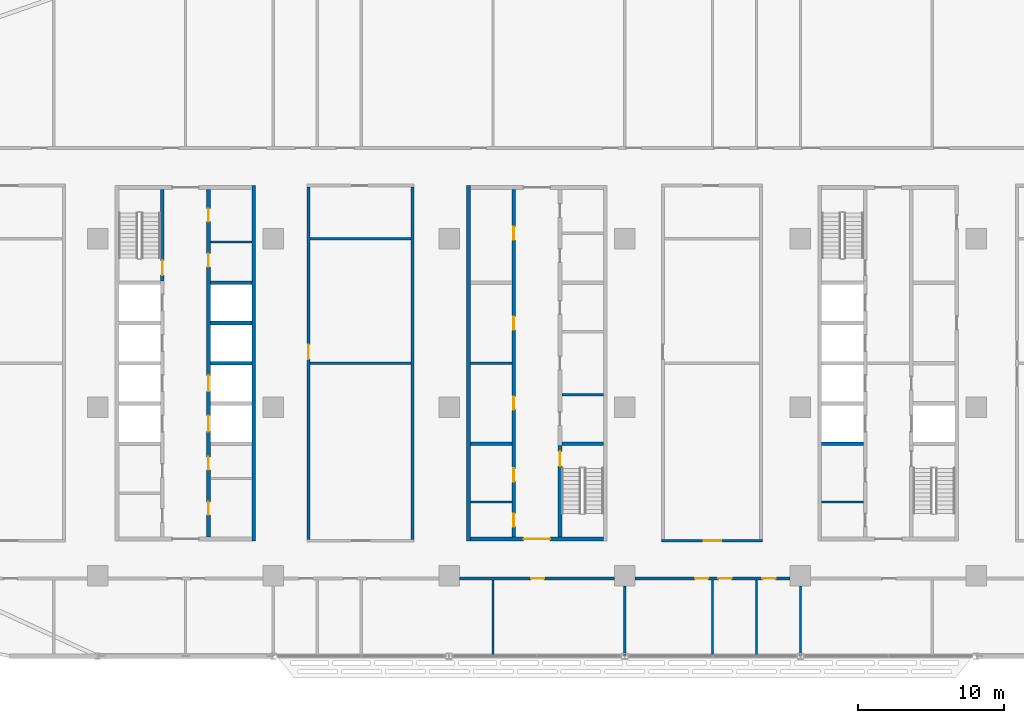
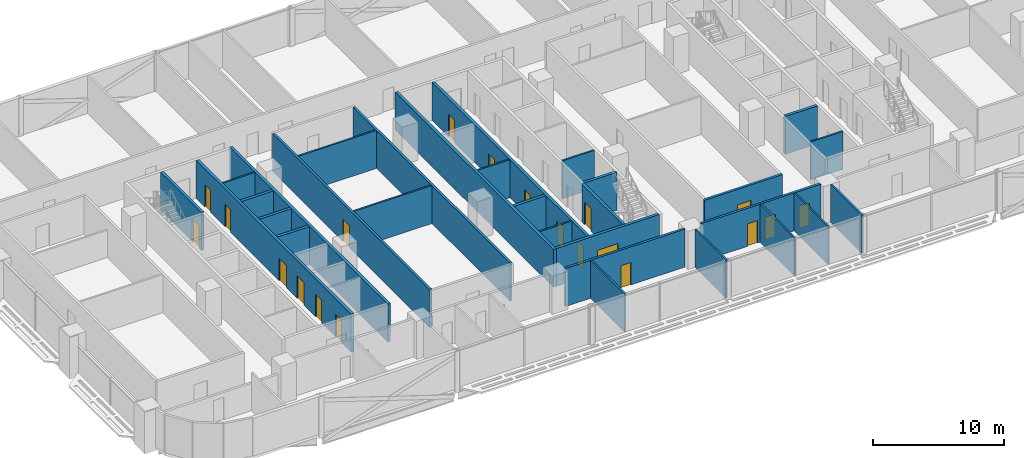
# One storey, part 13 of 29: 30 walls, 20 doors, 20 openings.
"""IFC4 building model written with IfcOpenShell, lengths in metres."""

from ifc_helpers import new_model, si_unit, direction, frame, frame_2d, origin, place, context, subcontext, project, spatial, rectangle, extrude, material, layer, layer_set, type_object, element, fill, save


model = new_model("IFC4")

# Units and contexts
model_context = context("Model", 3, precision=1e-05, world=origin(), true_north=direction((0.0, 1.0)))
body_context = subcontext(model_context, "Body", "Model", "MODEL_VIEW")
ifc_project = project(units=[si_unit("LENGTHUNIT", "METRE"), si_unit("AREAUNIT", "SQUARE_METRE"), si_unit("VOLUMEUNIT", "CUBIC_METRE"), si_unit("PLANEANGLEUNIT", "RADIAN"), si_unit("MASSUNIT", "GRAM", prefix="KILO")], contexts=[model_context])

# Site, building, storey
site_placement = place(None, origin())
site = spatial("IfcSite", under=ifc_project, at=site_placement, CompositionType="ELEMENT")
building_placement = place(site_placement, origin())
building = spatial("IfcBuilding", under=site, at=building_placement, Name="Mahtab Terrace Research Tower", CompositionType="ELEMENT")
storey_placement = place(building_placement, frame((0.0, 0.0, 113.5)))
storey = spatial("IfcBuildingStorey", under=building, at=storey_placement, Name="L26", CompositionType="ELEMENT", Elevation=113.5)

# Walls
ifc_material_1 = material(Name="Gypsum board partition")
ifc_layer_1 = layer(ifc_material_1, 0.14990234375)
ifc_layer_set_1 = layer_set([ifc_layer_1], Name="Core partition 150")
wall_type_1 = type_object("IfcWallType", Name="Core partition 150", PredefinedType="PARTITIONING", material=ifc_layer_set_1)
for number, where, z_axis, x_axis, name in (
    (1, (-22.300048828125, 11.27490234375, 0.0), (0.0, 0.0, 1.0), (1.0, 0.0, 0.0), "Core wall A pEN828"),
    (2, (-4.550048828125, 3.0, 0.0), (0.0, 0.0, 1.0), (1.0, 0.0, 0.0), "Core wall B pWL0"),
    (3, (1.699951171875, 0.85009765625, 0.0), (0.0, 0.0, 1.0), (1.0, 0.0, 0.0), "Core wall B pEL-215"),
    (4, (-4.550048828125, -6.47509765625, 0.0), (0.0, 0.0, 1.0), (1.0, 0.0, 0.0), "Core wall B pWS-948"),
    (5, (19.449951171875, -6.47509765625, 0.0), (0.0, 0.0, 1.0), (1.0, 0.0, 0.0), "Core wall C pWS-948"),
):
    element("IfcWall", number, at=place(storey_placement, frame(where, z_axis=z_axis, x_axis=x_axis)), inside=storey, type_object=wall_type_1, Name=name, PredefinedType="PARTITIONING", context=body_context, shape_type="SweptSolid", body=[
        extrude(rectangle(XDim=2.85009765625, YDim=0.14990234375, at=frame_2d((1.425048828125, 0.0))), origin(), (0.0, 0.0, 1.0), 3.550048828125),
    ])
ifc_material_2 = material(Name="Concrete C70/85", Category="concrete")
ifc_layer_2 = layer(ifc_material_2, 0.25)
ifc_layer_set_2 = layer_set([ifc_layer_2], Name="Core wall 250")
wall_type_2 = type_object("IfcWallType", Name="Core wall 250", PredefinedType="SOLIDWALL", material=ifc_layer_set_2)
wall_1_placement = place(storey_placement, frame((-19.324951171875, -9.125, 0.0), z_axis=(0.0, 0.0, 1.0), x_axis=(0.0, 1.0, 0.0)))
element("IfcWall", 6, at=wall_1_placement, inside=storey, type_object=wall_type_2, Name="Core wall A outerE", PredefinedType="SOLIDWALL", context=body_context, shape_type="SweptSolid", body=[
    extrude(rectangle(XDim=24.25, YDim=0.25, at=frame_2d((12.125, 0.0))), origin(), (0.0, 0.0, 1.0), 3.550048828125),
])

# Wall, opening, door
wall_2_placement = place(storey_placement, frame((-25.574951171875, 14.875, 0.0), z_axis=(0.0, 0.0, 1.0), x_axis=(0.0, -1.0, 0.0)))
wall_2 = element("IfcWall", 7, at=wall_2_placement, inside=storey, type_object=wall_type_2, Name="Core wall A innerWN", PredefinedType="SOLIDWALL", context=body_context, shape_type="SweptSolid", body=[
    extrude(rectangle(XDim=6.25, YDim=0.25, at=frame_2d((3.125, 0.0))), origin(), (0.0, 0.0, 1.0), 3.550048828125),
])
opening_1_placement = place(wall_2_placement, frame((4.85009765625, 0.0, 0.0)))
opening_1 = element("IfcOpeningElement", 8, at=opening_1_placement, cuts=wall_2, Name="Opening A-ST1", PredefinedType="OPENING", context=body_context, shape_type="SweptSolid", body=[
    extrude(rectangle(XDim=1.0, YDim=2.10009765625, at=frame_2d((0.5, 1.050048828125))), frame((0.0, 0.135009765625, 0.0), z_axis=(0.0, -1.0, 0.0), x_axis=(1.0, 0.0, 0.0)), (0.0, 0.0, 1.0), 0.27001953125),
])
ifc_material_3 = material(Name="Steel fire door", Category="steel")
door_type_1 = type_object("IfcDoorType", Name="Stair door 1000x2100 1.5 HR", OperationType="NOTDEFINED", PredefinedType="DOOR", material=ifc_material_3)
door_1_placement = place(opening_1_placement, origin())
door_1 = element("IfcDoor", 9, at=door_1_placement, inside=storey, type_object=door_type_1, Name="Stair door ST1 L26", OperationType="SINGLE_SWING_LEFT", OverallHeight=2.10009765625, OverallWidth=1.0, PredefinedType="DOOR", context=body_context, shape_type="SweptSolid", body=[
    extrude(rectangle(XDim=1.0, YDim=2.10009765625, at=frame_2d((0.5, 1.050048828125))), frame((0.0, 0.02490234375, 0.0), z_axis=(0.0, -1.0, 0.0), x_axis=(1.0, 0.0, 0.0)), (0.0, 0.0, 1.0), 0.050048828125),
])
fill(opening_1, door_1)

# Wall, openings, doors
wall_3_placement = place(storey_placement, frame((-22.425048828125, 14.875, 0.0), z_axis=(0.0, 0.0, 1.0), x_axis=(0.0, -1.0, 0.0)))
wall_3 = element("IfcWall", 10, at=wall_3_placement, inside=storey, type_object=wall_type_2, Name="Core wall A innerESLN", PredefinedType="SOLIDWALL", context=body_context, shape_type="SweptSolid", body=[
    extrude(rectangle(XDim=23.75, YDim=0.25, at=frame_2d((11.875, 0.0))), origin(), (0.0, 0.0, 1.0), 3.550048828125),
])
opening_2_placement = place(wall_3_placement, frame((15.449951171875, 0.0, 0.0)))
opening_2 = element("IfcOpeningElement", 11, at=opening_2_placement, cuts=wall_3, Name="Opening LD05-L26", PredefinedType="OPENING", context=body_context, shape_type="SweptSolid", body=[
    extrude(rectangle(XDim=1.10009765625, YDim=2.10009765625, at=frame_2d((0.550048828125, 1.050048828125))), frame((0.0, 0.135009765625, 0.0), z_axis=(0.0, -1.0, 0.0), x_axis=(1.0, 0.0, 0.0)), (0.0, 0.0, 1.0), 0.27001953125),
])
opening_3_placement = place(wall_3_placement, frame((12.699951171875, 0.0, 0.0)))
opening_3 = element("IfcOpeningElement", 12, at=opening_3_placement, cuts=wall_3, Name="Opening LD06-L26", PredefinedType="OPENING", context=body_context, shape_type="SweptSolid", body=[
    extrude(rectangle(XDim=1.10009765625, YDim=2.10009765625, at=frame_2d((0.550048828125, 1.050048828125))), frame((0.0, 0.135009765625, 0.0), z_axis=(0.0, -1.0, 0.0), x_axis=(1.0, 0.0, 0.0)), (0.0, 0.0, 1.0), 0.27001953125),
])
opening_4_placement = place(wall_3_placement, frame((21.33740234375, 0.0, 0.0)))
opening_4 = element("IfcOpeningElement", 13, at=opening_4_placement, cuts=wall_3, Name="Opening A-R3", PredefinedType="OPENING", context=body_context, shape_type="SweptSolid", body=[
    extrude(rectangle(XDim=0.89990234375, YDim=2.10009765625, at=frame_2d((0.449951171875, 1.050048828125))), frame((0.0, 0.135009765625, 0.0), z_axis=(0.0, -1.0, 0.0), x_axis=(1.0, 0.0, 0.0)), (0.0, 0.0, 1.0), 0.27001953125),
])
opening_5_placement = place(wall_3_placement, frame((18.262451171875, 0.0, 0.0)))
opening_5 = element("IfcOpeningElement", 14, at=opening_5_placement, cuts=wall_3, Name="Opening A-R4", PredefinedType="OPENING", context=body_context, shape_type="SweptSolid", body=[
    extrude(rectangle(XDim=0.89990234375, YDim=2.10009765625, at=frame_2d((0.449951171875, 1.050048828125))), frame((0.0, 0.135009765625, 0.0), z_axis=(0.0, -1.0, 0.0), x_axis=(1.0, 0.0, 0.0)), (0.0, 0.0, 1.0), 0.27001953125),
])
opening_6_placement = place(wall_3_placement, frame((4.387451171875, 0.0, 0.0)))
opening_6 = element("IfcOpeningElement", 15, at=opening_6_placement, cuts=wall_3, Name="Opening A-R5", PredefinedType="OPENING", context=body_context, shape_type="SweptSolid", body=[
    extrude(rectangle(XDim=0.89990234375, YDim=2.10009765625, at=frame_2d((0.449951171875, 1.050048828125))), frame((0.0, 0.135009765625, 0.0), z_axis=(0.0, -1.0, 0.0), x_axis=(1.0, 0.0, 0.0)), (0.0, 0.0, 1.0), 0.27001953125),
])
opening_7_placement = place(wall_3_placement, frame((1.3125, 0.0, 0.0)))
opening_7 = element("IfcOpeningElement", 16, at=opening_7_placement, cuts=wall_3, Name="Opening A-R6", PredefinedType="OPENING", context=body_context, shape_type="SweptSolid", body=[
    extrude(rectangle(XDim=0.89990234375, YDim=2.10009765625, at=frame_2d((0.449951171875, 1.050048828125))), frame((0.0, 0.135009765625, 0.0), z_axis=(0.0, -1.0, 0.0), x_axis=(1.0, 0.0, 0.0)), (0.0, 0.0, 1.0), 0.27001953125),
])
ifc_material_4 = material(Name="Stainless steel AISI 304", Category="steel")
door_type_2 = type_object("IfcDoorType", Name="Landing door 1100x2100", OperationType="DOUBLE_DOOR_SLIDING", PredefinedType="DOOR", material=ifc_material_4)
door_2_placement = place(opening_2_placement, origin())
door_2 = element("IfcDoor", 17, at=door_2_placement, inside=storey, type_object=door_type_2, Name="Landing door LR5 L26", OperationType="DOUBLE_DOOR_SLIDING", OverallHeight=2.10009765625, OverallWidth=1.10009765625, PredefinedType="DOOR", context=body_context, shape_type="SweptSolid", body=[
    extrude(rectangle(XDim=1.10009765625, YDim=2.10009765625, at=frame_2d((0.550048828125, 1.050048828125))), frame((0.0, 0.02490234375, 0.0), z_axis=(0.0, -1.0, 0.0), x_axis=(1.0, 0.0, 0.0)), (0.0, 0.0, 1.0), 0.050048828125),
])
fill(opening_2, door_2)
door_3_placement = place(opening_3_placement, origin())
door_3 = element("IfcDoor", 18, at=door_3_placement, inside=storey, type_object=door_type_2, Name="Landing door LR6 L26", OperationType="DOUBLE_DOOR_SLIDING", OverallHeight=2.10009765625, OverallWidth=1.10009765625, PredefinedType="DOOR", context=body_context, shape_type="SweptSolid", body=[
    extrude(rectangle(XDim=1.10009765625, YDim=2.10009765625, at=frame_2d((0.550048828125, 1.050048828125))), frame((0.0, 0.02490234375, 0.0), z_axis=(0.0, -1.0, 0.0), x_axis=(1.0, 0.0, 0.0)), (0.0, 0.0, 1.0), 0.050048828125),
])
fill(opening_3, door_3)
door_type_3 = type_object("IfcDoorType", Name="Room door 900x2100 1 HR", OperationType="NOTDEFINED", PredefinedType="DOOR", material=ifc_material_3)
door_4_placement = place(opening_4_placement, origin())
door_4 = element("IfcDoor", 19, at=door_4_placement, inside=storey, type_object=door_type_3, Name="IT equipment room door", OperationType="SINGLE_SWING_LEFT", OverallHeight=2.10009765625, OverallWidth=0.89990234375, PredefinedType="DOOR", context=body_context, shape_type="SweptSolid", body=[
    extrude(rectangle(XDim=0.89990234375, YDim=2.10009765625, at=frame_2d((0.449951171875, 1.050048828125))), frame((0.0, 0.02490234375, 0.0), z_axis=(0.0, -1.0, 0.0), x_axis=(1.0, 0.0, 0.0)), (0.0, 0.0, 1.0), 0.050048828125),
])
fill(opening_4, door_4)
door_5_placement = place(opening_5_placement, origin())
door_5 = element("IfcDoor", 20, at=door_5_placement, inside=storey, type_object=door_type_3, Name="Electrical riser room door", OperationType="SINGLE_SWING_RIGHT", OverallHeight=2.10009765625, OverallWidth=0.89990234375, PredefinedType="DOOR", context=body_context, shape_type="SweptSolid", body=[
    extrude(rectangle(XDim=0.89990234375, YDim=2.10009765625, at=frame_2d((0.449951171875, 1.050048828125))), frame((0.0, 0.02490234375, 0.0), z_axis=(0.0, -1.0, 0.0), x_axis=(1.0, 0.0, 0.0)), (0.0, 0.0, 1.0), 0.050048828125),
])
fill(opening_5, door_5)
door_6_placement = place(opening_6_placement, origin())
door_6 = element("IfcDoor", 21, at=door_6_placement, inside=storey, type_object=door_type_3, Name="Mechanical riser room door", OperationType="SINGLE_SWING_LEFT", OverallHeight=2.10009765625, OverallWidth=0.89990234375, PredefinedType="DOOR", context=body_context, shape_type="SweptSolid", body=[
    extrude(rectangle(XDim=0.89990234375, YDim=2.10009765625, at=frame_2d((0.449951171875, 1.050048828125))), frame((0.0, 0.02490234375, 0.0), z_axis=(0.0, -1.0, 0.0), x_axis=(1.0, 0.0, 0.0)), (0.0, 0.0, 1.0), 0.050048828125),
])
fill(opening_6, door_6)
door_7_placement = place(opening_7_placement, origin())
door_7 = element("IfcDoor", 22, at=door_7_placement, inside=storey, type_object=door_type_3, Name="Chemical store door", OperationType="SINGLE_SWING_RIGHT", OverallHeight=2.10009765625, OverallWidth=0.89990234375, PredefinedType="DOOR", context=body_context, shape_type="SweptSolid", body=[
    extrude(rectangle(XDim=0.89990234375, YDim=2.10009765625, at=frame_2d((0.449951171875, 1.050048828125))), frame((0.0, 0.02490234375, 0.0), z_axis=(0.0, -1.0, 0.0), x_axis=(1.0, 0.0, 0.0)), (0.0, 0.0, 1.0), 0.050048828125),
])
fill(opening_7, door_7)

# Walls
for number, where, z_axis, x_axis, name in (
    (23, (-22.300048828125, 3.0, 0.0), (0.0, 0.0, 1.0), (1.0, 0.0, 0.0), "Core wall A divE2"),
    (24, (-22.300048828125, 5.75, 0.0), (0.0, 0.0, 1.0), (1.0, 0.0, 0.0), "Core wall A divE3"),
    (25, (-22.300048828125, 8.5, 0.0), (0.0, 0.0, 1.0), (1.0, 0.0, 0.0), "Core wall A divE4"),
):
    element("IfcWall", number, at=place(storey_placement, frame(where, z_axis=z_axis, x_axis=x_axis)), inside=storey, type_object=wall_type_2, Name=name, PredefinedType="SOLIDWALL", context=body_context, shape_type="SweptSolid", body=[
        extrude(rectangle(XDim=2.85009765625, YDim=0.25, at=frame_2d((1.425048828125, 0.0))), origin(), (0.0, 0.0, 1.0), 3.550048828125),
    ])
wall_4_placement = place(storey_placement, frame((-4.675048828125, 15.125, 0.0), z_axis=(0.0, 0.0, 1.0), x_axis=(0.0, -1.0, 0.0)))
element("IfcWall", 26, at=wall_4_placement, inside=storey, type_object=wall_type_2, Name="Core wall B outerW", PredefinedType="SOLIDWALL", context=body_context, shape_type="SweptSolid", body=[
    extrude(rectangle(XDim=24.25, YDim=0.25, at=frame_2d((12.125, 0.0))), origin(), (0.0, 0.0, 1.0), 3.550048828125),
])

# Wall, opening, door
wall_5_placement = place(storey_placement, frame((4.550048828125, -9.0, 0.0), z_axis=(0.0, 0.0, 1.0), x_axis=(-1.0, 0.0, 0.0)))
wall_5 = element("IfcWall", 27, at=wall_5_placement, inside=storey, type_object=wall_type_2, Name="Core wall B endS", PredefinedType="SOLIDWALL", context=body_context, shape_type="SweptSolid", body=[
    extrude(rectangle(XDim=9.10009765625, YDim=0.25, at=frame_2d((4.550048828125, 0.0))), origin(), (0.0, 0.0, 1.0), 3.550048828125),
])
opening_8_placement = place(wall_5_placement, frame((3.64990234375, 0.0, 0.0)))
opening_8 = element("IfcOpeningElement", 28, at=opening_8_placement, cuts=wall_5, Name="Opening B-S1", PredefinedType="OPENING", context=body_context, shape_type="SweptSolid", body=[
    extrude(rectangle(XDim=1.800048828125, YDim=2.10009765625, at=frame_2d((0.89990234375, 1.050048828125))), frame((0.0, 0.135009765625, 0.0), z_axis=(0.0, -1.0, 0.0), x_axis=(1.0, 0.0, 0.0)), (0.0, 0.0, 1.0), 0.27001953125),
])
door_type_4 = type_object("IfcDoorType", Name="Lobby double door 1800x2100 1 HR", OperationType="DOUBLE_DOOR_SINGLE_SWING", PredefinedType="DOOR", material=ifc_material_3)
door_8_placement = place(opening_8_placement, origin())
door_8 = element("IfcDoor", 29, at=door_8_placement, inside=storey, type_object=door_type_4, Name="Core entrance door B S", OperationType="DOUBLE_DOOR_SINGLE_SWING", OverallHeight=2.10009765625, OverallWidth=1.800048828125, PredefinedType="DOOR", context=body_context, shape_type="SweptSolid", body=[
    extrude(rectangle(XDim=1.800048828125, YDim=2.10009765625, at=frame_2d((0.89990234375, 1.050048828125))), frame((0.0, 0.02490234375, 0.0), z_axis=(0.0, -1.0, 0.0), x_axis=(1.0, 0.0, 0.0)), (0.0, 0.0, 1.0), 0.050048828125),
])
fill(opening_8, door_8)

# Wall, openings, doors
wall_6_placement = place(storey_placement, frame((-1.574951171875, -8.875, 0.0), z_axis=(0.0, 0.0, 1.0), x_axis=(0.0, 1.0, 0.0)))
wall_6 = element("IfcWall", 30, at=wall_6_placement, inside=storey, type_object=wall_type_2, Name="Core wall B innerWSLN", PredefinedType="SOLIDWALL", context=body_context, shape_type="SweptSolid", body=[
    extrude(rectangle(XDim=23.75, YDim=0.25, at=frame_2d((11.875, 0.0))), origin(), (0.0, 0.0, 1.0), 3.550048828125),
])
opening_9_placement = place(wall_6_placement, frame((8.699951171875, 0.0, 0.0)))
opening_9 = element("IfcOpeningElement", 31, at=opening_9_placement, cuts=wall_6, Name="Opening B-R1", PredefinedType="OPENING", context=body_context, shape_type="SweptSolid", body=[
    extrude(rectangle(XDim=0.89990234375, YDim=2.10009765625, at=frame_2d((0.449951171875, 1.050048828125))), frame((0.0, 0.135009765625, 0.0), z_axis=(0.0, -1.0, 0.0), x_axis=(1.0, 0.0, 0.0)), (0.0, 0.0, 1.0), 0.27001953125),
])
opening_10_placement = place(wall_6_placement, frame((14.14990234375, 0.0, 0.0)))
opening_10 = element("IfcOpeningElement", 32, at=opening_10_placement, cuts=wall_6, Name="Opening B-R2", PredefinedType="OPENING", context=body_context, shape_type="SweptSolid", body=[
    extrude(rectangle(XDim=0.89990234375, YDim=2.10009765625, at=frame_2d((0.449951171875, 1.050048828125))), frame((0.0, 0.135009765625, 0.0), z_axis=(0.0, -1.0, 0.0), x_axis=(1.0, 0.0, 0.0)), (0.0, 0.0, 1.0), 0.27001953125),
])
opening_11_placement = place(wall_6_placement, frame((0.71240234375, 0.0, 0.0)))
opening_11 = element("IfcOpeningElement", 33, at=opening_11_placement, cuts=wall_6, Name="Opening B-R6", PredefinedType="OPENING", context=body_context, shape_type="SweptSolid", body=[
    extrude(rectangle(XDim=0.89990234375, YDim=2.10009765625, at=frame_2d((0.449951171875, 1.050048828125))), frame((0.0, 0.135009765625, 0.0), z_axis=(0.0, -1.0, 0.0), x_axis=(1.0, 0.0, 0.0)), (0.0, 0.0, 1.0), 0.27001953125),
])
opening_12_placement = place(wall_6_placement, frame((3.78759765625, 0.0, 0.0)))
opening_12 = element("IfcOpeningElement", 34, at=opening_12_placement, cuts=wall_6, Name="Opening B-R7", PredefinedType="OPENING", context=body_context, shape_type="SweptSolid", body=[
    extrude(rectangle(XDim=0.89990234375, YDim=2.10009765625, at=frame_2d((0.449951171875, 1.050048828125))), frame((0.0, 0.135009765625, 0.0), z_axis=(0.0, -1.0, 0.0), x_axis=(1.0, 0.0, 0.0)), (0.0, 0.0, 1.0), 0.27001953125),
])
opening_13_placement = place(wall_6_placement, frame((20.300048828125, 0.0, 0.0)))
opening_13 = element("IfcOpeningElement", 35, at=opening_13_placement, cuts=wall_6, Name="Opening B-R8", PredefinedType="OPENING", context=body_context, shape_type="SweptSolid", body=[
    extrude(rectangle(XDim=0.89990234375, YDim=2.10009765625, at=frame_2d((0.449951171875, 1.050048828125))), frame((0.0, 0.135009765625, 0.0), z_axis=(0.0, -1.0, 0.0), x_axis=(1.0, 0.0, 0.0)), (0.0, 0.0, 1.0), 0.27001953125),
])
door_9_placement = place(opening_9_placement, origin())
door_9 = element("IfcDoor", 36, at=door_9_placement, inside=storey, type_object=door_type_3, Name="Document store door", OperationType="SINGLE_SWING_LEFT", OverallHeight=2.10009765625, OverallWidth=0.89990234375, PredefinedType="DOOR", context=body_context, shape_type="SweptSolid", body=[
    extrude(rectangle(XDim=0.89990234375, YDim=2.10009765625, at=frame_2d((0.449951171875, 1.050048828125))), frame((0.0, 0.02490234375, 0.0), z_axis=(0.0, -1.0, 0.0), x_axis=(1.0, 0.0, 0.0)), (0.0, 0.0, 1.0), 0.050048828125),
])
fill(opening_9, door_9)
door_10_placement = place(opening_10_placement, origin())
door_10 = element("IfcDoor", 37, at=door_10_placement, inside=storey, type_object=door_type_3, Name="IT equipment room door", OperationType="SINGLE_SWING_RIGHT", OverallHeight=2.10009765625, OverallWidth=0.89990234375, PredefinedType="DOOR", context=body_context, shape_type="SweptSolid", body=[
    extrude(rectangle(XDim=0.89990234375, YDim=2.10009765625, at=frame_2d((0.449951171875, 1.050048828125))), frame((0.0, 0.02490234375, 0.0), z_axis=(0.0, -1.0, 0.0), x_axis=(1.0, 0.0, 0.0)), (0.0, 0.0, 1.0), 0.050048828125),
])
fill(opening_10, door_10)
door_11_placement = place(opening_11_placement, origin())
door_11 = element("IfcDoor", 38, at=door_11_placement, inside=storey, type_object=door_type_3, Name="Mechanical riser room door", OperationType="SINGLE_SWING_RIGHT", OverallHeight=2.10009765625, OverallWidth=0.89990234375, PredefinedType="DOOR", context=body_context, shape_type="SweptSolid", body=[
    extrude(rectangle(XDim=0.89990234375, YDim=2.10009765625, at=frame_2d((0.449951171875, 1.050048828125))), frame((0.0, 0.02490234375, 0.0), z_axis=(0.0, -1.0, 0.0), x_axis=(1.0, 0.0, 0.0)), (0.0, 0.0, 1.0), 0.050048828125),
])
fill(opening_11, door_11)
door_12_placement = place(opening_12_placement, origin())
door_12 = element("IfcDoor", 39, at=door_12_placement, inside=storey, type_object=door_type_3, Name="Chemical store door", OperationType="SINGLE_SWING_LEFT", OverallHeight=2.10009765625, OverallWidth=0.89990234375, PredefinedType="DOOR", context=body_context, shape_type="SweptSolid", body=[
    extrude(rectangle(XDim=0.89990234375, YDim=2.10009765625, at=frame_2d((0.449951171875, 1.050048828125))), frame((0.0, 0.02490234375, 0.0), z_axis=(0.0, -1.0, 0.0), x_axis=(1.0, 0.0, 0.0)), (0.0, 0.0, 1.0), 0.050048828125),
])
fill(opening_12, door_12)
door_13_placement = place(opening_13_placement, origin())
door_13 = element("IfcDoor", 40, at=door_13_placement, inside=storey, type_object=door_type_3, Name="Gas cylinder store door", OperationType="SINGLE_SWING_RIGHT", OverallHeight=2.10009765625, OverallWidth=0.89990234375, PredefinedType="DOOR", context=body_context, shape_type="SweptSolid", body=[
    extrude(rectangle(XDim=0.89990234375, YDim=2.10009765625, at=frame_2d((0.449951171875, 1.050048828125))), frame((0.0, 0.02490234375, 0.0), z_axis=(0.0, -1.0, 0.0), x_axis=(1.0, 0.0, 0.0)), (0.0, 0.0, 1.0), 0.050048828125),
])
fill(opening_13, door_13)

# Wall, opening, door
wall_7_placement = place(storey_placement, frame((1.574951171875, -8.875, 0.0), z_axis=(0.0, 0.0, 1.0), x_axis=(0.0, 1.0, 0.0)))
wall_7 = element("IfcWall", 41, at=wall_7_placement, inside=storey, type_object=wall_type_2, Name="Core wall B innerES", PredefinedType="SOLIDWALL", context=body_context, shape_type="SweptSolid", body=[
    extrude(rectangle(XDim=6.25, YDim=0.25, at=frame_2d((3.125, 0.0))), origin(), (0.0, 0.0, 1.0), 3.550048828125),
])
opening_14_placement = place(wall_7_placement, frame((4.85009765625, 0.0, 0.0)))
opening_14 = element("IfcOpeningElement", 42, at=opening_14_placement, cuts=wall_7, Name="Opening B-ST2", PredefinedType="OPENING", context=body_context, shape_type="SweptSolid", body=[
    extrude(rectangle(XDim=1.0, YDim=2.10009765625, at=frame_2d((0.5, 1.050048828125))), frame((0.0, 0.135009765625, 0.0), z_axis=(0.0, -1.0, 0.0), x_axis=(1.0, 0.0, 0.0)), (0.0, 0.0, 1.0), 0.27001953125),
])
door_14_placement = place(opening_14_placement, origin())
door_14 = element("IfcDoor", 43, at=door_14_placement, inside=storey, type_object=door_type_1, Name="Stair door ST2 L26", OperationType="SINGLE_SWING_LEFT", OverallHeight=2.10009765625, OverallWidth=1.0, PredefinedType="DOOR", context=body_context, shape_type="SweptSolid", body=[
    extrude(rectangle(XDim=1.0, YDim=2.10009765625, at=frame_2d((0.5, 1.050048828125))), frame((0.0, 0.02490234375, 0.0), z_axis=(0.0, -1.0, 0.0), x_axis=(1.0, 0.0, 0.0)), (0.0, 0.0, 1.0), 0.050048828125),
])
fill(opening_14, door_14)

# Walls
for number, where, z_axis, x_axis, name in (
    (44, (-4.550048828125, -2.5, 0.0), (0.0, 0.0, 1.0), (1.0, 0.0, 0.0), "Core wall B divW0"),
    (45, (1.699951171875, -2.5, 0.0), (0.0, 0.0, 1.0), (1.0, 0.0, 0.0), "Core wall B divE0"),
    (46, (19.449951171875, -2.5, 0.0), (0.0, 0.0, 1.0), (1.0, 0.0, 0.0), "Core wall C divW0"),
):
    element("IfcWall", number, at=place(storey_placement, frame(where, z_axis=z_axis, x_axis=x_axis)), inside=storey, type_object=wall_type_2, Name=name, PredefinedType="SOLIDWALL", context=body_context, shape_type="SweptSolid", body=[
        extrude(rectangle(XDim=2.85009765625, YDim=0.25, at=frame_2d((1.425048828125, 0.0))), origin(), (0.0, 0.0, 1.0), 3.550048828125),
    ])

# Wall, opening, door
ifc_material_5 = material(Name="Gypsum board corridor wall on steel studs", Category="steel")
ifc_layer_3 = layer(ifc_material_5, 0.199951171875)
ifc_layer_set_3 = layer_set([ifc_layer_3], Name="WALL CORRIDOR 200")
wall_type_3 = type_object("IfcWallType", Name="WALL CORRIDOR 200", PredefinedType="PARTITIONING", material=ifc_layer_set_3)
wall_8_placement = place(storey_placement, frame((-5.300048828125, -11.699951171875, 0.0), z_axis=(0.0, 0.0, 1.0), x_axis=(1.0, 0.0, 0.0)))
wall_8 = element("IfcWall", 47, at=wall_8_placement, inside=storey, type_object=wall_type_3, Name="L26-W004", PredefinedType="PARTITIONING", context=body_context, shape_type="SweptSolid", body=[
    extrude(rectangle(XDim=10.60009765625, YDim=0.199951171875, at=frame_2d((5.300048828125, 0.0))), origin(), (0.0, 0.0, 1.0), 3.550048828125),
])
opening_15_placement = place(wall_8_placement, frame((4.89990234375, 0.0, 0.0)))
opening_15 = element("IfcOpeningElement", 48, at=opening_15_placement, cuts=wall_8, Name="Opening L26-107", PredefinedType="OPENING", context=body_context, shape_type="SweptSolid", body=[
    extrude(rectangle(XDim=0.89990234375, YDim=2.10009765625, at=frame_2d((0.449951171875, 1.050048828125))), frame((0.0, 0.10986328125, 0.0), z_axis=(0.0, -1.0, 0.0), x_axis=(1.0, 0.0, 0.0)), (0.0, 0.0, 1.0), 0.219970703125),
])
ifc_material_6 = material(Name="Timber door leaf in steel frame", Category="steel")
door_type_5 = type_object("IfcDoorType", Name="DOOR 0900X2100 FD30S", OperationType="SINGLE_SWING_LEFT", PredefinedType="DOOR", material=ifc_material_6)
door_15_placement = place(opening_15_placement, origin())
door_15 = element("IfcDoor", 49, at=door_15_placement, inside=storey, type_object=door_type_5, Name="Door L26-107", OperationType="SINGLE_SWING_LEFT", OverallHeight=2.10009765625, OverallWidth=0.89990234375, PredefinedType="DOOR", context=body_context, shape_type="SweptSolid", body=[
    extrude(rectangle(XDim=0.89990234375, YDim=2.10009765625, at=frame_2d((0.449951171875, 1.050048828125))), frame((0.0, 0.02490234375, 0.0), z_axis=(0.0, -1.0, 0.0), x_axis=(1.0, 0.0, 0.0)), (0.0, 0.0, 1.0), 0.050048828125),
])
fill(opening_15, door_15)

# Wall, openings, doors
wall_9_placement = place(storey_placement, frame((6.699951171875, -11.699951171875, 0.0), z_axis=(0.0, 0.0, 1.0), x_axis=(1.0, 0.0, 0.0)))
wall_9 = element("IfcWall", 50, at=wall_9_placement, inside=storey, type_object=wall_type_3, Name="L26-W005", PredefinedType="PARTITIONING", context=body_context, shape_type="SweptSolid", body=[
    extrude(rectangle(XDim=10.60009765625, YDim=0.199951171875, at=frame_2d((5.300048828125, 0.0))), origin(), (0.0, 0.0, 1.0), 3.550048828125),
])
opening_16_placement = place(wall_9_placement, frame((4.10009765625, 0.0, 0.0)))
opening_16 = element("IfcOpeningElement", 51, at=opening_16_placement, cuts=wall_9, Name="Opening L26-108", PredefinedType="OPENING", context=body_context, shape_type="SweptSolid", body=[
    extrude(rectangle(XDim=0.89990234375, YDim=2.10009765625, at=frame_2d((0.449951171875, 1.050048828125))), frame((0.0, 0.10986328125, 0.0), z_axis=(0.0, -1.0, 0.0), x_axis=(1.0, 0.0, 0.0)), (0.0, 0.0, 1.0), 0.219970703125),
])
opening_17_placement = place(wall_9_placement, frame((5.699951171875, 0.0, 0.0)))
opening_17 = element("IfcOpeningElement", 52, at=opening_17_placement, cuts=wall_9, Name="Opening L26-109", PredefinedType="OPENING", context=body_context, shape_type="SweptSolid", body=[
    extrude(rectangle(XDim=0.89990234375, YDim=2.10009765625, at=frame_2d((0.449951171875, 1.050048828125))), frame((0.0, 0.10986328125, 0.0), z_axis=(0.0, -1.0, 0.0), x_axis=(1.0, 0.0, 0.0)), (0.0, 0.0, 1.0), 0.219970703125),
])
opening_18_placement = place(wall_9_placement, frame((8.699951171875, 0.0, 0.0)))
opening_18 = element("IfcOpeningElement", 53, at=opening_18_placement, cuts=wall_9, Name="Opening L26-110", PredefinedType="OPENING", context=body_context, shape_type="SweptSolid", body=[
    extrude(rectangle(XDim=0.89990234375, YDim=2.10009765625, at=frame_2d((0.449951171875, 1.050048828125))), frame((0.0, 0.10986328125, 0.0), z_axis=(0.0, -1.0, 0.0), x_axis=(1.0, 0.0, 0.0)), (0.0, 0.0, 1.0), 0.219970703125),
])
door_16_placement = place(opening_16_placement, origin())
door_16 = element("IfcDoor", 54, at=door_16_placement, inside=storey, type_object=door_type_5, Name="Door L26-108", OperationType="SINGLE_SWING_RIGHT", OverallHeight=2.10009765625, OverallWidth=0.89990234375, PredefinedType="DOOR", context=body_context, shape_type="SweptSolid", body=[
    extrude(rectangle(XDim=0.89990234375, YDim=2.10009765625, at=frame_2d((0.449951171875, 1.050048828125))), frame((0.0, 0.02490234375, 0.0), z_axis=(0.0, -1.0, 0.0), x_axis=(1.0, 0.0, 0.0)), (0.0, 0.0, 1.0), 0.050048828125),
])
fill(opening_16, door_16)
door_17_placement = place(opening_17_placement, origin())
door_17 = element("IfcDoor", 55, at=door_17_placement, inside=storey, type_object=door_type_5, Name="Door L26-109", OperationType="SINGLE_SWING_LEFT", OverallHeight=2.10009765625, OverallWidth=0.89990234375, PredefinedType="DOOR", context=body_context, shape_type="SweptSolid", body=[
    extrude(rectangle(XDim=0.89990234375, YDim=2.10009765625, at=frame_2d((0.449951171875, 1.050048828125))), frame((0.0, 0.02490234375, 0.0), z_axis=(0.0, -1.0, 0.0), x_axis=(1.0, 0.0, 0.0)), (0.0, 0.0, 1.0), 0.050048828125),
])
fill(opening_17, door_17)
door_18_placement = place(opening_18_placement, origin())
door_18 = element("IfcDoor", 56, at=door_18_placement, inside=storey, type_object=door_type_5, Name="Door L26-110", OperationType="SINGLE_SWING_LEFT", OverallHeight=2.10009765625, OverallWidth=0.89990234375, PredefinedType="DOOR", context=body_context, shape_type="SweptSolid", body=[
    extrude(rectangle(XDim=0.89990234375, YDim=2.10009765625, at=frame_2d((0.449951171875, 1.050048828125))), frame((0.0, 0.02490234375, 0.0), z_axis=(0.0, -1.0, 0.0), x_axis=(1.0, 0.0, 0.0)), (0.0, 0.0, 1.0), 0.050048828125),
])
fill(opening_18, door_18)

# Wall, opening, door
wall_10_placement = place(storey_placement, frame((8.5, -9.125, 0.0), z_axis=(0.0, 0.0, 1.0), x_axis=(1.0, 0.0, 0.0)))
wall_10 = element("IfcWall", 57, at=wall_10_placement, inside=storey, type_object=wall_type_3, Name="L26-W011", PredefinedType="PARTITIONING", context=body_context, shape_type="SweptSolid", body=[
    extrude(rectangle(XDim=6.89990234375, YDim=0.199951171875, at=frame_2d((3.449951171875, 0.0))), origin(), (0.0, 0.0, 1.0), 3.550048828125),
])
opening_19_placement = place(wall_10_placement, frame((2.89990234375, 0.0, 0.0)))
opening_19 = element("IfcOpeningElement", 58, at=opening_19_placement, cuts=wall_10, Name="Opening L26-119", PredefinedType="OPENING", context=body_context, shape_type="SweptSolid", body=[
    extrude(rectangle(XDim=1.199951171875, YDim=2.10009765625, at=frame_2d((0.60009765625, 1.050048828125))), frame((0.0, 0.10986328125, 0.0), z_axis=(0.0, -1.0, 0.0), x_axis=(1.0, 0.0, 0.0)), (0.0, 0.0, 1.0), 0.219970703125),
])
door_type_6 = type_object("IfcDoorType", Name="DOOR 1200X2100 FD30S", OperationType="SINGLE_SWING_LEFT", PredefinedType="DOOR", material=ifc_material_6)
door_19_placement = place(opening_19_placement, origin())
door_19 = element("IfcDoor", 59, at=door_19_placement, inside=storey, type_object=door_type_6, Name="Door L26-119", OperationType="SINGLE_SWING_RIGHT", OverallHeight=2.10009765625, OverallWidth=1.199951171875, PredefinedType="DOOR", context=body_context, shape_type="SweptSolid", body=[
    extrude(rectangle(XDim=1.199951171875, YDim=2.10009765625, at=frame_2d((0.60009765625, 1.050048828125))), frame((0.0, 0.02490234375, 0.0), z_axis=(0.0, -1.0, 0.0), x_axis=(1.0, 0.0, 0.0)), (0.0, 0.0, 1.0), 0.050048828125),
])
fill(opening_19, door_19)

wall_11_placement = place(storey_placement, frame((-15.60009765625, -9.02490234375, 0.0), z_axis=(0.0, 0.0, 1.0), x_axis=(0.0, 1.0, 0.0)))
wall_11 = element("IfcWall", 60, at=wall_11_placement, inside=storey, type_object=wall_type_3, Name="L26-W035", PredefinedType="PARTITIONING", context=body_context, shape_type="SweptSolid", body=[
    extrude(rectangle(XDim=24.0498046875, YDim=0.199951171875, at=frame_2d((12.02490234375, 0.0))), origin(), (0.0, 0.0, 1.0), 3.550048828125),
])
opening_20_placement = place(wall_11_placement, frame((12.300048828125, 0.0, 0.0)))
opening_20 = element("IfcOpeningElement", 61, at=opening_20_placement, cuts=wall_11, Name="Opening L26-123", PredefinedType="OPENING", context=body_context, shape_type="SweptSolid", body=[
    extrude(rectangle(XDim=1.0, YDim=2.10009765625, at=frame_2d((0.5, 1.050048828125))), frame((0.0, 0.10986328125, 0.0), z_axis=(0.0, -1.0, 0.0), x_axis=(1.0, 0.0, 0.0)), (0.0, 0.0, 1.0), 0.219970703125),
])
door_type_7 = type_object("IfcDoorType", Name="DOOR 1000X2100 FD30S", OperationType="SINGLE_SWING_LEFT", PredefinedType="DOOR", material=ifc_material_6)
door_20_placement = place(opening_20_placement, origin())
door_20 = element("IfcDoor", 62, at=door_20_placement, inside=storey, type_object=door_type_7, Name="Door L26-123", OperationType="SINGLE_SWING_LEFT", OverallHeight=2.10009765625, OverallWidth=1.0, PredefinedType="DOOR", context=body_context, shape_type="SweptSolid", body=[
    extrude(rectangle(XDim=1.0, YDim=2.10009765625, at=frame_2d((0.5, 1.050048828125))), frame((0.0, 0.02490234375, 0.0), z_axis=(0.0, -1.0, 0.0), x_axis=(1.0, 0.0, 0.0)), (0.0, 0.0, 1.0), 0.050048828125),
])
fill(opening_20, door_20)

# Walls
wall_12_placement = place(storey_placement, frame((-8.5, -9.02490234375, 0.0), z_axis=(0.0, 0.0, 1.0), x_axis=(0.0, 1.0, 0.0)))
element("IfcWall", 63, at=wall_12_placement, inside=storey, type_object=wall_type_3, Name="L26-W040", PredefinedType="PARTITIONING", context=body_context, shape_type="SweptSolid", body=[
    extrude(rectangle(XDim=24.0498046875, YDim=0.199951171875, at=frame_2d((12.02490234375, 0.0))), origin(), (0.0, 0.0, 1.0), 3.550048828125),
])
ifc_material_7 = material(Name="Gypsum board partition on steel studs", Category="steel")
ifc_layer_4 = layer(ifc_material_7, 0.14990234375)
ifc_layer_set_4 = layer_set([ifc_layer_4], Name="WALL PARTITION 150")
wall_type_4 = type_object("IfcWallType", Name="WALL PARTITION 150", PredefinedType="PARTITIONING", material=ifc_layer_set_4)
for number, where, z_axis, x_axis, name in (
    (64, (-15.5, 3.0, 0.0), (0.0, 0.0, 1.0), (1.0, 0.0, 0.0), "L26-W014"),
    (65, (-15.5, 11.5, 0.0), (0.0, 0.0, 1.0), (1.0, 0.0, 0.0), "L26-W018"),
):
    element("IfcWall", number, at=place(storey_placement, frame(where, z_axis=z_axis, x_axis=x_axis)), inside=storey, type_object=wall_type_4, Name=name, PredefinedType="PARTITIONING", context=body_context, shape_type="SweptSolid", body=[
        extrude(rectangle(XDim=6.89990234375, YDim=0.14990234375, at=frame_2d((3.449951171875, 0.0))), origin(), (0.0, 0.0, 1.0), 3.550048828125),
    ])
wall_13_placement = place(storey_placement, frame((-3.0, -16.97509765625, 0.0), z_axis=(0.0, 0.0, 1.0), x_axis=(0.0, 1.0, 0.0)))
element("IfcWall", 66, at=wall_13_placement, inside=storey, type_object=wall_type_4, Name="L26-W041", PredefinedType="PARTITIONING", context=body_context, shape_type="SweptSolid", body=[
    extrude(rectangle(XDim=5.175048828125, YDim=0.14990234375, at=frame_2d((2.58740234375, 0.0))), origin(), (0.0, 0.0, 1.0), 3.550048828125),
])
wall_14_placement = place(storey_placement, frame((6.0, -16.97509765625, 0.0), z_axis=(0.0, 0.0, 1.0), x_axis=(0.0, 1.0, 0.0)))
element("IfcWall", 67, at=wall_14_placement, inside=storey, type_object=wall_type_4, Name="L26-W043", PredefinedType="PARTITIONING", context=body_context, shape_type="SweptSolid", body=[
    extrude(rectangle(XDim=4.775146484375, YDim=0.14990234375, at=frame_2d((2.3876953125, 0.0))), origin(), (0.0, 0.0, 1.0), 3.550048828125),
])
for number, where, z_axis, x_axis, name in (
    (68, (12.0, -16.97509765625, 0.0), (0.0, 0.0, 1.0), (0.0, 1.0, 0.0), "L26-W046"),
    (69, (15.0, -16.97509765625, 0.0), (0.0, 0.0, 1.0), (0.0, 1.0, 0.0), "L26-W048"),
):
    element("IfcWall", number, at=place(storey_placement, frame(where, z_axis=z_axis, x_axis=x_axis)), inside=storey, type_object=wall_type_4, Name=name, PredefinedType="PARTITIONING", context=body_context, shape_type="SweptSolid", body=[
        extrude(rectangle(XDim=5.175048828125, YDim=0.14990234375, at=frame_2d((2.58740234375, 0.0))), origin(), (0.0, 0.0, 1.0), 3.550048828125),
    ])
wall_15_placement = place(storey_placement, frame((18.0, -16.97509765625, 0.0), z_axis=(0.0, 0.0, 1.0), x_axis=(0.0, 1.0, 0.0)))
element("IfcWall", 70, at=wall_15_placement, inside=storey, type_object=wall_type_4, Name="L26-W051", PredefinedType="PARTITIONING", context=body_context, shape_type="SweptSolid", body=[
    extrude(rectangle(XDim=4.775146484375, YDim=0.14990234375, at=frame_2d((2.3876953125, 0.0))), origin(), (0.0, 0.0, 1.0), 3.550048828125),
])

save(model, "model.ifc")
